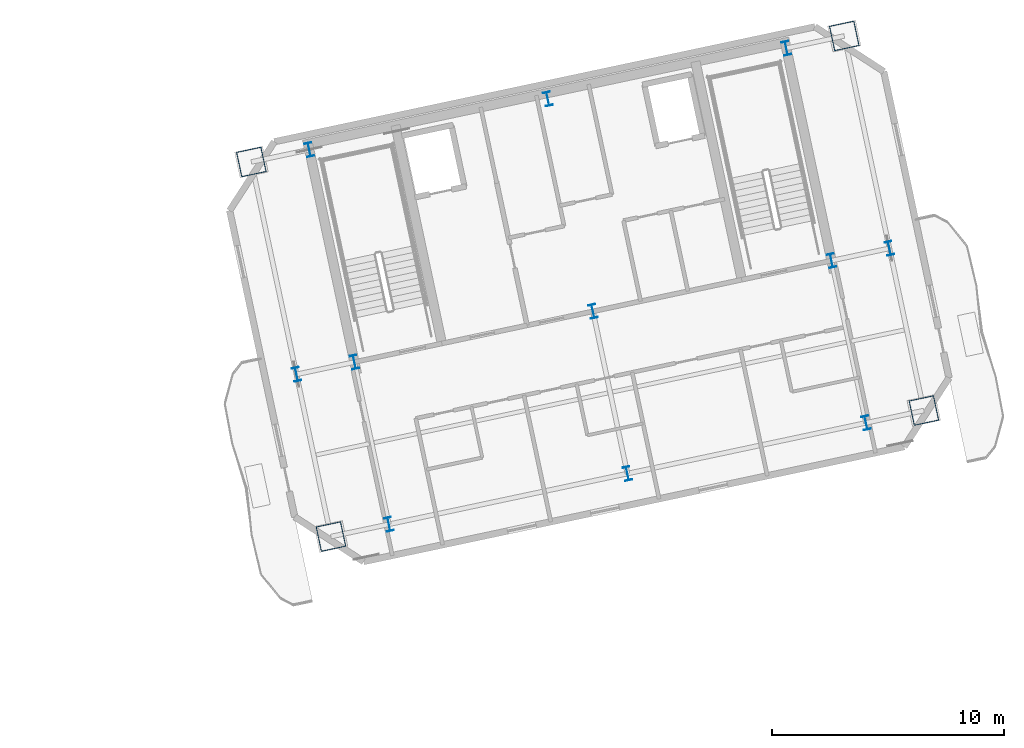
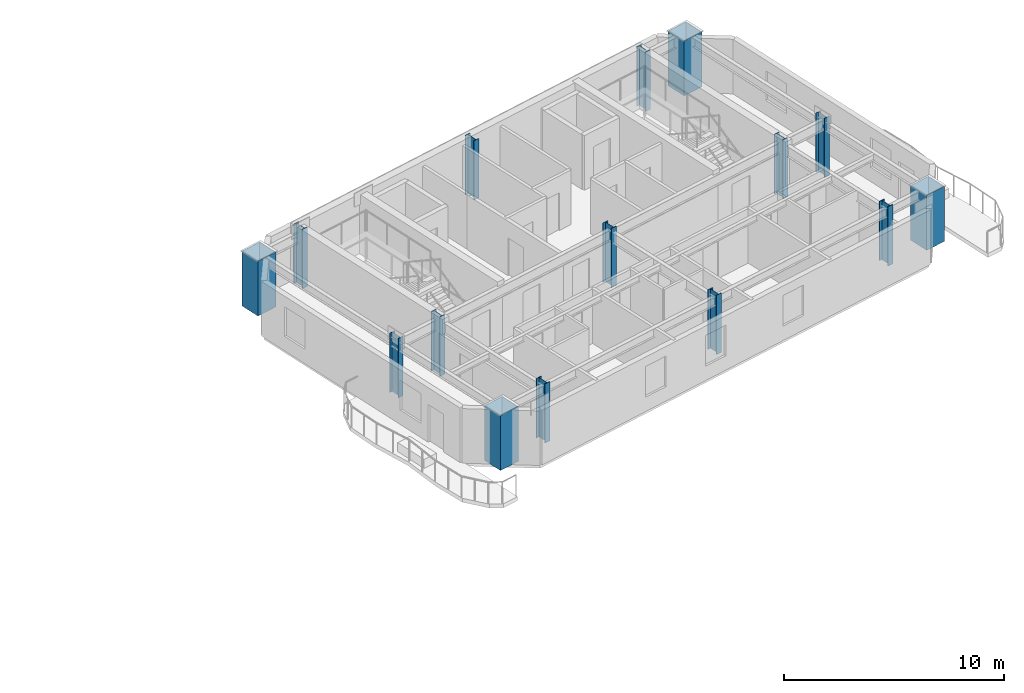
# One storey, part 2 of 14: 15 columns.
"""IFC4 building model written with IfcOpenShell, lengths in metres."""

from ifc_helpers import new_model, si_unit, direction, frame, origin, origin_2d, place, context, subcontext, project, spatial, hollow_rectangle, i_section, extrude, material, material_profile, profile_set, type_object, element, save


model = new_model("IFC4")

# Units and contexts
model_context = context("Model", 3, precision=1e-05, world=origin(), true_north=direction((0.0, 1.0)))
body_context = subcontext(model_context, "Body", "Model", "MODEL_VIEW")
ifc_project = project(units=[si_unit("LENGTHUNIT", "METRE"), si_unit("AREAUNIT", "SQUARE_METRE"), si_unit("VOLUMEUNIT", "CUBIC_METRE"), si_unit("PLANEANGLEUNIT", "RADIAN"), si_unit("MASSUNIT", "GRAM", prefix="KILO")], contexts=[model_context])

# Site, building, storey
site_placement = place(None, origin())
site = spatial("IfcSite", under=ifc_project, at=site_placement, CompositionType="ELEMENT")
building_placement = place(site_placement, origin())
building = spatial("IfcBuilding", under=site, at=building_placement, Name="Haevon Station Towers", CompositionType="ELEMENT")
storey_placement = place(building_placement, frame((0.0, 0.0, 231.89990234375)))
storey = spatial("IfcBuildingStorey", under=building, at=storey_placement, Name="L64", CompositionType="ELEMENT", Elevation=231.89990234375)

# Columns
ifc_material_1 = material(Name="Steel S460", Category="steel")
ifc_material_profile_1 = material_profile(ifc_material_1, hollow_rectangle(XDim=1.10009765625, YDim=1.10009765625, WallThickness=0.031982421875, at=origin_2d()), Name="BOX-1100x1100x32")
ifc_profile_set_1 = profile_set([ifc_material_profile_1], Name="Steel S460")
column_type_1 = type_object("IfcColumnType", Name="COL-MC5", PredefinedType="COLUMN", material=ifc_profile_set_1)
for number, where, z_axis, x_axis, name in (
    (1, (97.74267578125, 29.92822265625, 0.0), (0.0, 0.0, 1.0), (0.978147600734, 0.207911690818, 0.0), "COL-T2-L64-01-01"),
    (2, (94.314208984375, 46.057861328125, 0.0), (0.0, 0.0, 1.0), (0.978147600734, 0.207911690818, 0.0), "COL-T2-L64-01-03"),
    (3, (123.272216796875, 35.354736328125, 0.0), (0.0, 0.0, 1.0), (0.978147600734, 0.207911690818, 0.0), "COL-T2-L64-05-01"),
    (4, (119.84375, 51.484375, 0.0), (0.0, 0.0, 1.0), (0.978147600734, 0.207911690818, 0.0), "COL-T2-L64-05-03"),
):
    element("IfcColumn", number, at=place(storey_placement, frame(where, z_axis=z_axis, x_axis=x_axis)), inside=storey, type_object=column_type_1, Name=name, PredefinedType="COLUMN", context=body_context, shape_type="SweptSolid", body=[
        extrude(hollow_rectangle(XDim=1.10009765625, YDim=1.10009765625, WallThickness=0.031982421875, at=origin_2d()), origin(), (0.0, 0.0, 1.0), 3.050048828125),
    ])
ifc_material_2 = material(Name="Steel S355", Category="steel")
ifc_material_profile_2 = material_profile(ifc_material_2, i_section(OverallWidth=0.300048828125, OverallDepth=0.60009765625, WebThickness=0.013916015625, FlangeThickness=0.02490234375, at=origin_2d()), Name="H-600x300x14x25")
ifc_profile_set_2 = profile_set([ifc_material_profile_2], Name="Steel S355")
column_type_2 = type_object("IfcColumnType", Name="COL-TW4", PredefinedType="COLUMN", material=ifc_profile_set_2)
for number, where, z_axis, x_axis, name in (
    (5, (96.258056640625, 36.912353515625, 0.0), (0.0, 0.0, 1.0), (0.978147600734, 0.207911690818, 0.0), "COL-T2-L64-01-02"),
    (6, (100.23681640625, 30.45849609375, 0.0), (0.0, 0.0, 1.0), (0.978147600734, 0.207911690818, 0.0), "COL-T2-L64-02-01"),
    (7, (98.75244140625, 37.4423828125, 0.0), (0.0, 0.0, 1.0), (0.978147600734, 0.207911690818, 0.0), "COL-T2-L64-02-02"),
    (8, (96.808349609375, 46.588134765625, 0.0), (0.0, 0.0, 1.0), (0.978147600734, 0.207911690818, 0.0), "COL-T2-L64-02-03"),
    (9, (110.50732421875, 32.6416015625, 0.0), (0.0, 0.0, 1.0), (0.978147600734, 0.207911690818, 0.0), "COL-T2-L64-03-01"),
    (10, (109.02294921875, 39.62548828125, 0.0), (0.0, 0.0, 1.0), (0.978147600734, 0.207911690818, 0.0), "COL-T2-L64-03-02"),
    (11, (107.078857421875, 48.771240234375, 0.0), (0.0, 0.0, 1.0), (0.978147600734, 0.207911690818, 0.0), "COL-T2-L64-03-03"),
    (12, (120.77783203125, 34.824462890625, 0.0), (0.0, 0.0, 1.0), (0.978147600734, 0.207911690818, 0.0), "COL-T2-L64-04-01"),
    (13, (119.29345703125, 41.80859375, 0.0), (0.0, 0.0, 1.0), (0.978147600734, 0.207911690818, 0.0), "COL-T2-L64-04-02"),
    (14, (117.349365234375, 50.954345703125, 0.0), (0.0, 0.0, 1.0), (0.978147600734, 0.207911690818, 0.0), "COL-T2-L64-04-03"),
    (15, (121.787841796875, 42.338623046875, 0.0), (0.0, 0.0, 1.0), (0.978147600734, 0.207911690818, 0.0), "COL-T2-L64-05-02"),
):
    element("IfcColumn", number, at=place(storey_placement, frame(where, z_axis=z_axis, x_axis=x_axis)), inside=storey, type_object=column_type_2, Name=name, PredefinedType="COLUMN", context=body_context, shape_type="SweptSolid", body=[
        extrude(i_section(OverallWidth=0.300048828125, OverallDepth=0.60009765625, WebThickness=0.013916015625, FlangeThickness=0.02490234375, at=origin_2d()), origin(), (0.0, 0.0, 1.0), 3.300048828125),
    ])

save(model, "model.ifc")
